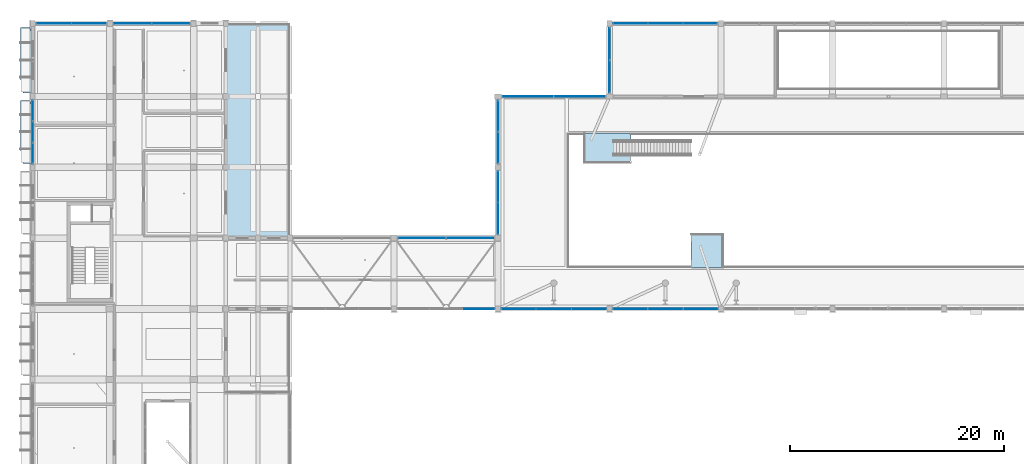
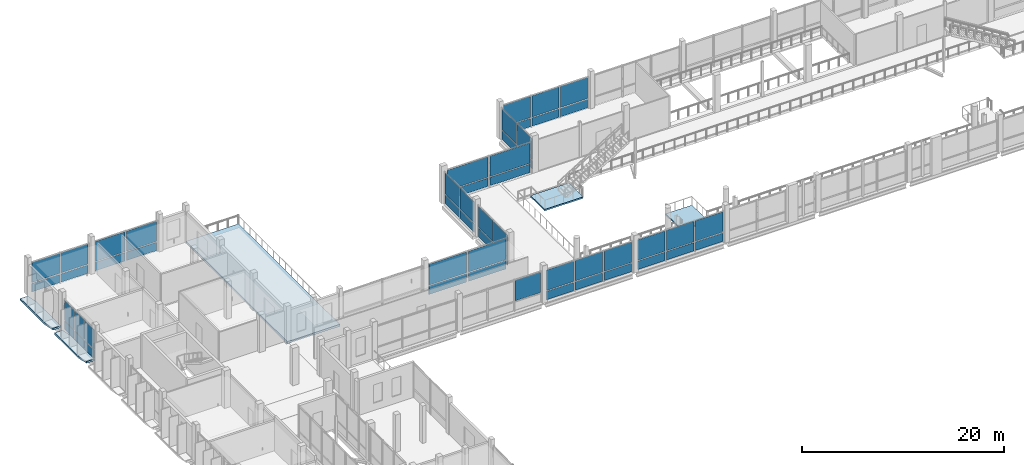
# One storey, part 46 of 95: 53 plates, 5 slabs, 12 elements without a shape of their own.
"""IFC4 building model written with IfcOpenShell, lengths in metres."""

from ifc_helpers import new_model, si_unit, derived_unit, direction, frame, origin, origin_2d, place, context, subcontext, project, spatial, polyline, rectangle, outline, extrude, material, layer, layer_set, type_object, element, aggregate, save


model = new_model("IFC4")

# Units and contexts
model_context = context("Model", 3, precision=1e-05, world=origin(), true_north=direction((0.0, 1.0)))
body_context = subcontext(model_context, "Body", "Model", "MODEL_VIEW")
ifc_project = project(units=[si_unit("LENGTHUNIT", "METRE"), si_unit("AREAUNIT", "SQUARE_METRE"), si_unit("VOLUMEUNIT", "CUBIC_METRE"), si_unit("PLANEANGLEUNIT", "RADIAN"), si_unit("MASSUNIT", "GRAM", prefix="KILO"), derived_unit("THERMALTRANSMITTANCEUNIT", [(si_unit("POWERUNIT", "WATT"), 1), (si_unit("LENGTHUNIT", "METRE"), -2), (si_unit("THERMODYNAMICTEMPERATUREUNIT", "KELVIN"), -1)])], contexts=[model_context])

# Site, building, storey
site_placement = place(None, origin())
site = spatial("IfcSite", under=ifc_project, at=site_placement, CompositionType="ELEMENT")
building_placement = place(site_placement, origin())
building = spatial("IfcBuilding", under=site, at=building_placement, Name="Braskholm Square Health Centre", CompositionType="ELEMENT")
storey_placement = place(building_placement, frame((0.0, 0.0, 4.800048828125)))
storey = spatial("IfcBuildingStorey", under=building, at=storey_placement, Name="L02", CompositionType="ELEMENT", Elevation=4.800048828125)

# Curtain wall, plates
ifc_material_1 = material(Name="Low-E triple insulating glass (VLT 0.64)", Category="glass")
curtain_wall_type_1 = type_object("IfcCurtainWallType", Name="UnitisedCurtainWall6200x3650", PredefinedType="NOTDEFINED", material=ifc_material_1)
curtain_wall_1_placement = place(storey_placement, origin())
curtain_wall_1 = element("IfcCurtainWall", 1, at=curtain_wall_1_placement, inside=storey, type_object=curtain_wall_type_1, Name="West Outer unitised curtain wall CW-L02-0013", PredefinedType="NOTDEFINED")
ifc_material_2 = material(Name="Architectural bronze anodised aluminium", Category="aluminium")
plate_type_1 = type_object("IfcPlateType", Name="CurtainPanelSpandrel1850x1020", PredefinedType="CURTAIN_PANEL", material=ifc_material_2)
plate_1_placement = place(storey_placement, frame((4.199951171875, 105.706787109375, 0.050048828125), z_axis=(0.0, 0.0, 1.0), x_axis=(0.0, -1.0, 0.0)))
plate_1 = element("IfcPlate", 2, at=plate_1_placement, type_object=plate_type_1, Name="CW-L02-0013 spandrel panel 1", PredefinedType="CURTAIN_PANEL", context=body_context, shape_type="SweptSolid", body=[
    extrude(rectangle(XDim=1.88623046875, YDim=0.035888671875, at=origin_2d()), origin(), (0.0, 0.0, 1.0), 1.02001953125),
])
plate_2_placement = place(storey_placement, frame((4.199951171875, 103.699951171875, 0.050048828125), z_axis=(0.0, 0.0, 1.0), x_axis=(0.0, -1.0, 0.0)))
plate_2 = element("IfcPlate", 3, at=plate_2_placement, type_object=plate_type_1, Name="CW-L02-0013 spandrel panel 2", PredefinedType="CURTAIN_PANEL", context=body_context, shape_type="SweptSolid", body=[
    extrude(rectangle(XDim=1.88623046875, YDim=0.035888671875, at=origin_2d()), origin(), (0.0, 0.0, 1.0), 1.02001953125),
])
plate_3_placement = place(storey_placement, frame((4.199951171875, 101.693359375, 0.050048828125), z_axis=(0.0, 0.0, 1.0), x_axis=(0.0, -1.0, 0.0)))
plate_3 = element("IfcPlate", 4, at=plate_3_placement, type_object=plate_type_1, Name="CW-L02-0013 spandrel panel 3", PredefinedType="CURTAIN_PANEL", context=body_context, shape_type="SweptSolid", body=[
    extrude(rectangle(XDim=1.88623046875, YDim=0.035888671875, at=origin_2d()), origin(), (0.0, 0.0, 1.0), 1.02001953125),
])

curtain_wall_type_2 = type_object("IfcCurtainWallType", Name="UnitisedCurtainWall6200x3800", PredefinedType="NOTDEFINED", material=ifc_material_1)
curtain_wall_2_placement = place(storey_placement, origin())
curtain_wall_2 = element("IfcCurtainWall", 5, at=curtain_wall_2_placement, inside=storey, type_object=curtain_wall_type_2, Name="Hall Cheek L02 unitised curtain wall CW-L02-0221", PredefinedType="NOTDEFINED")
plate_type_2 = type_object("IfcPlateType", Name="CurtainPanelSpandrel2750x1020", PredefinedType="CURTAIN_PANEL", material=ifc_material_2)
plate_4_placement = place(storey_placement, frame((47.60009765625, 105.181884765625, 0.050048828125), z_axis=(0.0, 0.0, 1.0), x_axis=(0.0, -1.0, 0.0)))
plate_4 = element("IfcPlate", 6, at=plate_4_placement, type_object=plate_type_2, Name="CW-L02-0221 spandrel panel 1", PredefinedType="CURTAIN_PANEL", context=body_context, shape_type="SweptSolid", body=[
    extrude(rectangle(XDim=2.820068359375, YDim=0.035888671875, at=origin_2d()), origin(), (0.0, 0.0, 1.0), 1.02001953125),
])
plate_5_placement = place(storey_placement, frame((47.60009765625, 102.218017578125, 0.050048828125), z_axis=(0.0, 0.0, 1.0), x_axis=(0.0, -1.0, 0.0)))
plate_5 = element("IfcPlate", 7, at=plate_5_placement, type_object=plate_type_2, Name="CW-L02-0221 spandrel panel 2", PredefinedType="CURTAIN_PANEL", context=body_context, shape_type="SweptSolid", body=[
    extrude(rectangle(XDim=2.820068359375, YDim=0.035888671875, at=origin_2d()), origin(), (0.0, 0.0, 1.0), 1.02001953125),
])

curtain_wall_3_placement = place(storey_placement, origin())
curtain_wall_3 = element("IfcCurtainWall", 8, at=curtain_wall_3_placement, inside=storey, type_object=curtain_wall_type_2, Name="Hall Cheek L02 unitised curtain wall CW-L02-0222", PredefinedType="NOTDEFINED")
plate_6_placement = place(storey_placement, frame((47.60009765625, 98.58203125, 0.050048828125), z_axis=(0.0, 0.0, 1.0), x_axis=(0.0, -1.0, 0.0)))
plate_6 = element("IfcPlate", 9, at=plate_6_placement, type_object=plate_type_2, Name="CW-L02-0222 spandrel panel 1", PredefinedType="CURTAIN_PANEL", context=body_context, shape_type="SweptSolid", body=[
    extrude(rectangle(XDim=2.820068359375, YDim=0.035888671875, at=origin_2d()), origin(), (0.0, 0.0, 1.0), 1.02001953125),
])
plate_7_placement = place(storey_placement, frame((47.60009765625, 95.617919921875, 0.050048828125), z_axis=(0.0, 0.0, 1.0), x_axis=(0.0, -1.0, 0.0)))
plate_7 = element("IfcPlate", 10, at=plate_7_placement, type_object=plate_type_2, Name="CW-L02-0222 spandrel panel 2", PredefinedType="CURTAIN_PANEL", context=body_context, shape_type="SweptSolid", body=[
    extrude(rectangle(XDim=2.820068359375, YDim=0.035888671875, at=origin_2d()), origin(), (0.0, 0.0, 1.0), 1.02001953125),
])

curtain_wall_4_placement = place(storey_placement, origin())
curtain_wall_4 = element("IfcCurtainWall", 11, at=curtain_wall_4_placement, inside=storey, type_object=curtain_wall_type_2, Name="Hydrotherapy West unitised curtain wall CW-L02-0247", PredefinedType="NOTDEFINED")
plate_8_placement = place(storey_placement, frame((58.0, 111.931396484375, 0.050048828125), z_axis=(0.0, 0.0, 1.0), x_axis=(0.0, -1.0, 0.0)))
plate_8 = element("IfcPlate", 12, at=plate_8_placement, type_object=plate_type_2, Name="CW-L02-0247 spandrel panel 1", PredefinedType="CURTAIN_PANEL", context=body_context, shape_type="SweptSolid", body=[
    extrude(rectangle(XDim=2.9140625, YDim=0.035888671875, at=origin_2d()), origin(), (0.0, 0.0, 1.0), 1.02001953125),
])
plate_9_placement = place(storey_placement, frame((58.0, 108.86865234375, 0.050048828125), z_axis=(0.0, 0.0, 1.0), x_axis=(0.0, -1.0, 0.0)))
plate_9 = element("IfcPlate", 13, at=plate_9_placement, type_object=plate_type_2, Name="CW-L02-0247 spandrel panel 2", PredefinedType="CURTAIN_PANEL", context=body_context, shape_type="SweptSolid", body=[
    extrude(rectangle(XDim=2.9140625, YDim=0.035888671875, at=origin_2d()), origin(), (0.0, 0.0, 1.0), 1.02001953125),
])

curtain_wall_5_placement = place(storey_placement, origin())
curtain_wall_5 = element("IfcCurtainWall", 14, at=curtain_wall_5_placement, inside=storey, type_object=curtain_wall_type_1, Name="Wing End unitised curtain wall CW-L02-0153", PredefinedType="NOTDEFINED")
plate_type_3 = type_object("IfcPlateType", Name="CurtainPanelSpandrel3150x1020", PredefinedType="CURTAIN_PANEL", material=ifc_material_2)
plate_10_placement = place(storey_placement, frame((17.08837890625, 113.800048828125, 0.050048828125), z_axis=(0.0, 0.0, 1.0), x_axis=(-1.0, 0.0, 0.0)))
plate_10 = element("IfcPlate", 15, at=plate_10_placement, type_object=plate_type_3, Name="CW-L02-0153 spandrel panel 1", PredefinedType="CURTAIN_PANEL", context=body_context, shape_type="SweptSolid", body=[
    extrude(rectangle(XDim=3.40283203125, YDim=0.035888671875, at=origin_2d()), origin(), (0.0, 0.0, 1.0), 1.02001953125),
])
plate_11_placement = place(storey_placement, frame((13.51171875, 113.800048828125, 0.050048828125), z_axis=(0.0, 0.0, 1.0), x_axis=(-1.0, 0.0, 0.0)))
plate_11 = element("IfcPlate", 16, at=plate_11_placement, type_object=plate_type_3, Name="CW-L02-0153 spandrel panel 2", PredefinedType="CURTAIN_PANEL", context=body_context, shape_type="SweptSolid", body=[
    extrude(rectangle(XDim=3.40283203125, YDim=0.035888671875, at=origin_2d()), origin(), (0.0, 0.0, 1.0), 1.02001953125),
])

curtain_wall_6_placement = place(storey_placement, origin())
curtain_wall_6 = element("IfcCurtainWall", 17, at=curtain_wall_6_placement, inside=storey, type_object=curtain_wall_type_1, Name="Wing End unitised curtain wall CW-L02-0154", PredefinedType="NOTDEFINED")
plate_12_placement = place(storey_placement, frame((9.440185546875, 113.800048828125, 0.050048828125), z_axis=(0.0, 0.0, 1.0), x_axis=(-1.0, 0.0, 0.0)))
plate_12 = element("IfcPlate", 18, at=plate_12_placement, type_object=plate_type_3, Name="CW-L02-0154 spandrel panel 1", PredefinedType="CURTAIN_PANEL", context=body_context, shape_type="SweptSolid", body=[
    extrude(rectangle(XDim=3.120849609375, YDim=0.035888671875, at=origin_2d()), origin(), (0.0, 0.0, 1.0), 1.02001953125),
])
plate_13_placement = place(storey_placement, frame((6.159912109375, 113.800048828125, 0.050048828125), z_axis=(0.0, 0.0, 1.0), x_axis=(-1.0, 0.0, 0.0)))
plate_13 = element("IfcPlate", 19, at=plate_13_placement, type_object=plate_type_3, Name="CW-L02-0154 spandrel panel 2", PredefinedType="CURTAIN_PANEL", context=body_context, shape_type="SweptSolid", body=[
    extrude(rectangle(XDim=3.120849609375, YDim=0.035888671875, at=origin_2d()), origin(), (0.0, 0.0, 1.0), 1.02001953125),
])

curtain_wall_7_placement = place(storey_placement, origin())
curtain_wall_7 = element("IfcCurtainWall", 20, at=curtain_wall_7_placement, inside=storey, type_object=curtain_wall_type_2, Name="Hall Gallery L02 unitised curtain wall CW-L02-0184", PredefinedType="NOTDEFINED")
plate_14_placement = place(storey_placement, frame((49.488037109375, 87.199951171875, 0.050048828125), z_axis=(0.0, 0.0, 1.0), x_axis=(1.0, 0.0, 0.0)))
plate_14 = element("IfcPlate", 21, at=plate_14_placement, type_object=plate_type_3, Name="CW-L02-0184 spandrel panel 1", PredefinedType="CURTAIN_PANEL", context=body_context, shape_type="SweptSolid", body=[
    extrude(rectangle(XDim=3.11328125, YDim=0.035888671875, at=origin_2d()), origin(), (0.0, 0.0, 1.0), 1.02001953125),
])
plate_15_placement = place(storey_placement, frame((52.800048828125, 87.199951171875, 0.050048828125), z_axis=(0.0, 0.0, 1.0), x_axis=(1.0, 0.0, 0.0)))
plate_15 = element("IfcPlate", 22, at=plate_15_placement, type_object=plate_type_3, Name="CW-L02-0184 spandrel panel 2", PredefinedType="CURTAIN_PANEL", context=body_context, shape_type="SweptSolid", body=[
    extrude(rectangle(XDim=3.11328125, YDim=0.035888671875, at=origin_2d()), origin(), (0.0, 0.0, 1.0), 1.02001953125),
])
plate_16_placement = place(storey_placement, frame((56.112060546875, 87.199951171875, 0.050048828125), z_axis=(0.0, 0.0, 1.0), x_axis=(1.0, 0.0, 0.0)))
plate_16 = element("IfcPlate", 23, at=plate_16_placement, type_object=plate_type_3, Name="CW-L02-0184 spandrel panel 3", PredefinedType="CURTAIN_PANEL", context=body_context, shape_type="SweptSolid", body=[
    extrude(rectangle(XDim=3.11328125, YDim=0.035888671875, at=origin_2d()), origin(), (0.0, 0.0, 1.0), 1.02001953125),
])

curtain_wall_8_placement = place(storey_placement, origin())
curtain_wall_8 = element("IfcCurtainWall", 24, at=curtain_wall_8_placement, inside=storey, type_object=curtain_wall_type_2, Name="Hall Gallery L02 unitised curtain wall CW-L02-0187", PredefinedType="NOTDEFINED")
plate_17_placement = place(storey_placement, frame((59.887939453125, 87.199951171875, 0.050048828125), z_axis=(0.0, 0.0, 1.0), x_axis=(1.0, 0.0, 0.0)))
plate_17 = element("IfcPlate", 25, at=plate_17_placement, type_object=plate_type_3, Name="CW-L02-0187 spandrel panel 1", PredefinedType="CURTAIN_PANEL", context=body_context, shape_type="SweptSolid", body=[
    extrude(rectangle(XDim=3.11328125, YDim=0.035888671875, at=origin_2d()), origin(), (0.0, 0.0, 1.0), 1.02001953125),
])
plate_18_placement = place(storey_placement, frame((63.199951171875, 87.199951171875, 0.050048828125), z_axis=(0.0, 0.0, 1.0), x_axis=(1.0, 0.0, 0.0)))
plate_18 = element("IfcPlate", 26, at=plate_18_placement, type_object=plate_type_3, Name="CW-L02-0187 spandrel panel 2", PredefinedType="CURTAIN_PANEL", context=body_context, shape_type="SweptSolid", body=[
    extrude(rectangle(XDim=3.11328125, YDim=0.035888671875, at=origin_2d()), origin(), (0.0, 0.0, 1.0), 1.02001953125),
])
plate_19_placement = place(storey_placement, frame((66.511962890625, 87.199951171875, 0.050048828125), z_axis=(0.0, 0.0, 1.0), x_axis=(1.0, 0.0, 0.0)))
plate_19 = element("IfcPlate", 27, at=plate_19_placement, type_object=plate_type_3, Name="CW-L02-0187 spandrel panel 3", PredefinedType="CURTAIN_PANEL", context=body_context, shape_type="SweptSolid", body=[
    extrude(rectangle(XDim=3.11328125, YDim=0.035888671875, at=origin_2d()), origin(), (0.0, 0.0, 1.0), 1.02001953125),
])

curtain_wall_9_placement = place(storey_placement, origin())
curtain_wall_9 = element("IfcCurtainWall", 28, at=curtain_wall_9_placement, inside=storey, type_object=curtain_wall_type_2, Name="Hydrotherapy North unitised curtain wall CW-L02-0242", PredefinedType="NOTDEFINED")
plate_20_placement = place(storey_placement, frame((66.466796875, 113.800048828125, 0.050048828125), z_axis=(0.0, 0.0, 1.0), x_axis=(-1.0, 0.0, 0.0)))
plate_20 = element("IfcPlate", 29, at=plate_20_placement, type_object=plate_type_3, Name="CW-L02-0242 spandrel panel 1", PredefinedType="CURTAIN_PANEL", context=body_context, shape_type="SweptSolid", body=[
    extrude(rectangle(XDim=3.07080078125, YDim=0.035888671875, at=origin_2d()), origin(), (0.0, 0.0, 1.0), 1.02001953125),
])
plate_21_placement = place(storey_placement, frame((63.199951171875, 113.800048828125, 0.050048828125), z_axis=(0.0, 0.0, 1.0), x_axis=(-1.0, 0.0, 0.0)))
plate_21 = element("IfcPlate", 30, at=plate_21_placement, type_object=plate_type_3, Name="CW-L02-0242 spandrel panel 2", PredefinedType="CURTAIN_PANEL", context=body_context, shape_type="SweptSolid", body=[
    extrude(rectangle(XDim=3.07080078125, YDim=0.035888671875, at=origin_2d()), origin(), (0.0, 0.0, 1.0), 1.02001953125),
])
plate_22_placement = place(storey_placement, frame((59.933349609375, 113.800048828125, 0.050048828125), z_axis=(0.0, 0.0, 1.0), x_axis=(-1.0, 0.0, 0.0)))
plate_22 = element("IfcPlate", 31, at=plate_22_placement, type_object=plate_type_3, Name="CW-L02-0242 spandrel panel 3", PredefinedType="CURTAIN_PANEL", context=body_context, shape_type="SweptSolid", body=[
    extrude(rectangle(XDim=3.07080078125, YDim=0.035888671875, at=origin_2d()), origin(), (0.0, 0.0, 1.0), 1.02001953125),
])

curtain_wall_10_placement = place(storey_placement, origin())
curtain_wall_10 = element("IfcCurtainWall", 32, at=curtain_wall_10_placement, inside=storey, type_object=curtain_wall_type_2, Name="Portal North L02 unitised curtain wall CW-L02-0181", PredefinedType="NOTDEFINED")
plate_type_4 = type_object("IfcPlateType", Name="CurtainPanelSpandrel4350x1020", PredefinedType="CURTAIN_PANEL", material=ifc_material_2)
plate_23_placement = place(storey_placement, frame((45.009033203125, 93.800048828125, 0.050048828125), z_axis=(0.0, 0.0, 1.0), x_axis=(-1.0, 0.0, 0.0)))
plate_23 = element("IfcPlate", 33, at=plate_23_placement, type_object=plate_type_4, Name="CW-L02-0181 spandrel panel 1", PredefinedType="CURTAIN_PANEL", context=body_context, shape_type="SweptSolid", body=[
    extrude(rectangle(XDim=4.298583984375, YDim=0.035888671875, at=origin_2d()), origin(), (0.0, 0.0, 1.0), 1.02001953125),
])
plate_24_placement = place(storey_placement, frame((40.490966796875, 93.800048828125, 0.050048828125), z_axis=(0.0, 0.0, 1.0), x_axis=(-1.0, 0.0, 0.0)))
plate_24 = element("IfcPlate", 34, at=plate_24_placement, type_object=plate_type_4, Name="CW-L02-0181 spandrel panel 2", PredefinedType="CURTAIN_PANEL", context=body_context, shape_type="SweptSolid", body=[
    extrude(rectangle(XDim=4.298583984375, YDim=0.035888671875, at=origin_2d()), origin(), (0.0, 0.0, 1.0), 1.02001953125),
])

curtain_wall_11_placement = place(storey_placement, origin())
curtain_wall_11 = element("IfcCurtainWall", 35, at=curtain_wall_11_placement, inside=storey, type_object=curtain_wall_type_2, Name="Hall North unitised curtain wall CW-L02-0215", PredefinedType="NOTDEFINED")
plate_25_placement = place(storey_placement, frame((55.220703125, 107.0, 0.050048828125), z_axis=(0.0, 0.0, 1.0), x_axis=(-1.0, 0.0, 0.0)))
plate_25 = element("IfcPlate", 36, at=plate_25_placement, type_object=plate_type_4, Name="CW-L02-0215 spandrel panel 1", PredefinedType="CURTAIN_PANEL", context=body_context, shape_type="SweptSolid", body=[
    extrude(rectangle(XDim=4.60595703125, YDim=0.035888671875, at=origin_2d()), origin(), (0.0, 0.0, 1.0), 1.02001953125),
])
plate_26_placement = place(storey_placement, frame((50.37939453125, 107.0, 0.050048828125), z_axis=(0.0, 0.0, 1.0), x_axis=(-1.0, 0.0, 0.0)))
plate_26 = element("IfcPlate", 37, at=plate_26_placement, type_object=plate_type_4, Name="CW-L02-0215 spandrel panel 2", PredefinedType="CURTAIN_PANEL", context=body_context, shape_type="SweptSolid", body=[
    extrude(rectangle(XDim=4.60595703125, YDim=0.035888671875, at=origin_2d()), origin(), (0.0, 0.0, 1.0), 1.02001953125),
])

# Plate
plate_type_5 = type_object("IfcPlateType", Name="CurtainPanelVision1850x2520", PredefinedType="CURTAIN_PANEL", material=ifc_material_1)
plate_27_placement = place(storey_placement, frame((4.199951171875, 105.706787109375, 1.169921875), z_axis=(0.0, 0.0, 1.0), x_axis=(0.0, -1.0, 0.0)))
plate_27 = element("IfcPlate", 38, at=plate_27_placement, type_object=plate_type_5, Name="CW-L02-0013 vision glass panel 1", PredefinedType="CURTAIN_PANEL", context=body_context, shape_type="SweptSolid", body=[
    extrude(rectangle(XDim=1.88623046875, YDim=0.035888671875, at=origin_2d()), origin(), (0.0, 0.0, 1.0), 2.3701171875),
])

plate_28_placement = place(storey_placement, frame((4.199951171875, 103.699951171875, 1.169921875), z_axis=(0.0, 0.0, 1.0), x_axis=(0.0, -1.0, 0.0)))
plate_28 = element("IfcPlate", 39, at=plate_28_placement, type_object=plate_type_5, Name="CW-L02-0013 vision glass panel 2", PredefinedType="CURTAIN_PANEL", context=body_context, shape_type="SweptSolid", body=[
    extrude(rectangle(XDim=1.88623046875, YDim=0.035888671875, at=origin_2d()), origin(), (0.0, 0.0, 1.0), 2.3701171875),
])

plate_29_placement = place(storey_placement, frame((4.199951171875, 101.693359375, 1.169921875), z_axis=(0.0, 0.0, 1.0), x_axis=(0.0, -1.0, 0.0)))
plate_29 = element("IfcPlate", 40, at=plate_29_placement, type_object=plate_type_5, Name="CW-L02-0013 vision glass panel 3", PredefinedType="CURTAIN_PANEL", context=body_context, shape_type="SweptSolid", body=[
    extrude(rectangle(XDim=1.88623046875, YDim=0.035888671875, at=origin_2d()), origin(), (0.0, 0.0, 1.0), 2.3701171875),
])

aggregate(curtain_wall_1, [plate_1, plate_27, plate_2, plate_28, plate_3, plate_29])

# Curtain wall, plate
curtain_wall_12_placement = place(storey_placement, origin())
curtain_wall_12 = element("IfcCurtainWall", 41, at=curtain_wall_12_placement, inside=storey, type_object=curtain_wall_type_2, Name="Hall Gallery L02 unitised curtain wall CW-L02-0178", PredefinedType="NOTDEFINED")
plate_type_6 = type_object("IfcPlateType", Name="CurtainPanelVision2750x2520", PredefinedType="CURTAIN_PANEL", material=ifc_material_1)
plate_30_placement = place(storey_placement, frame((45.82861328125, 87.199951171875, 1.169921875), z_axis=(0.0, 0.0, 1.0), x_axis=(1.0, 0.0, 0.0)))
plate_30 = element("IfcPlate", 42, at=plate_30_placement, type_object=plate_type_6, Name="CW-L02-0178 vision glass panel 3", PredefinedType="CURTAIN_PANEL", context=body_context, shape_type="SweptSolid", body=[
    extrude(rectangle(XDim=2.893798828125, YDim=0.035888671875, at=origin_2d()), origin(), (0.0, 0.0, 1.0), 2.4599609375),
])
aggregate(curtain_wall_12, [plate_30])

# Plate
plate_31_placement = place(storey_placement, frame((47.60009765625, 105.181884765625, 1.169921875), z_axis=(0.0, 0.0, 1.0), x_axis=(0.0, -1.0, 0.0)))
plate_31 = element("IfcPlate", 43, at=plate_31_placement, type_object=plate_type_6, Name="CW-L02-0221 vision glass panel 1", PredefinedType="CURTAIN_PANEL", context=body_context, shape_type="SweptSolid", body=[
    extrude(rectangle(XDim=2.820068359375, YDim=0.035888671875, at=origin_2d()), origin(), (0.0, 0.0, 1.0), 2.5400390625),
])

plate_32_placement = place(storey_placement, frame((47.60009765625, 102.218017578125, 1.169921875), z_axis=(0.0, 0.0, 1.0), x_axis=(0.0, -1.0, 0.0)))
plate_32 = element("IfcPlate", 44, at=plate_32_placement, type_object=plate_type_6, Name="CW-L02-0221 vision glass panel 2", PredefinedType="CURTAIN_PANEL", context=body_context, shape_type="SweptSolid", body=[
    extrude(rectangle(XDim=2.820068359375, YDim=0.035888671875, at=origin_2d()), origin(), (0.0, 0.0, 1.0), 2.5400390625),
])

aggregate(curtain_wall_2, [plate_4, plate_31, plate_5, plate_32])

plate_33_placement = place(storey_placement, frame((47.60009765625, 98.58203125, 1.169921875), z_axis=(0.0, 0.0, 1.0), x_axis=(0.0, -1.0, 0.0)))
plate_33 = element("IfcPlate", 45, at=plate_33_placement, type_object=plate_type_6, Name="CW-L02-0222 vision glass panel 1", PredefinedType="CURTAIN_PANEL", context=body_context, shape_type="SweptSolid", body=[
    extrude(rectangle(XDim=2.820068359375, YDim=0.035888671875, at=origin_2d()), origin(), (0.0, 0.0, 1.0), 2.5400390625),
])

plate_34_placement = place(storey_placement, frame((47.60009765625, 95.617919921875, 1.169921875), z_axis=(0.0, 0.0, 1.0), x_axis=(0.0, -1.0, 0.0)))
plate_34 = element("IfcPlate", 46, at=plate_34_placement, type_object=plate_type_6, Name="CW-L02-0222 vision glass panel 2", PredefinedType="CURTAIN_PANEL", context=body_context, shape_type="SweptSolid", body=[
    extrude(rectangle(XDim=2.820068359375, YDim=0.035888671875, at=origin_2d()), origin(), (0.0, 0.0, 1.0), 2.5400390625),
])

aggregate(curtain_wall_3, [plate_6, plate_33, plate_7, plate_34])

plate_35_placement = place(storey_placement, frame((58.0, 111.931396484375, 1.169921875), z_axis=(0.0, 0.0, 1.0), x_axis=(0.0, -1.0, 0.0)))
plate_35 = element("IfcPlate", 47, at=plate_35_placement, type_object=plate_type_6, Name="CW-L02-0247 vision glass panel 1", PredefinedType="CURTAIN_PANEL", context=body_context, shape_type="SweptSolid", body=[
    extrude(rectangle(XDim=2.9140625, YDim=0.035888671875, at=origin_2d()), origin(), (0.0, 0.0, 1.0), 2.5400390625),
])

plate_36_placement = place(storey_placement, frame((58.0, 108.86865234375, 1.169921875), z_axis=(0.0, 0.0, 1.0), x_axis=(0.0, -1.0, 0.0)))
plate_36 = element("IfcPlate", 48, at=plate_36_placement, type_object=plate_type_6, Name="CW-L02-0247 vision glass panel 2", PredefinedType="CURTAIN_PANEL", context=body_context, shape_type="SweptSolid", body=[
    extrude(rectangle(XDim=2.9140625, YDim=0.035888671875, at=origin_2d()), origin(), (0.0, 0.0, 1.0), 2.5400390625),
])

aggregate(curtain_wall_4, [plate_8, plate_35, plate_9, plate_36])

plate_type_7 = type_object("IfcPlateType", Name="CurtainPanelVision3150x2520", PredefinedType="CURTAIN_PANEL", material=ifc_material_1)
plate_37_placement = place(storey_placement, frame((17.08837890625, 113.800048828125, 1.169921875), z_axis=(0.0, 0.0, 1.0), x_axis=(-1.0, 0.0, 0.0)))
plate_37 = element("IfcPlate", 49, at=plate_37_placement, type_object=plate_type_7, Name="CW-L02-0153 vision glass panel 1", PredefinedType="CURTAIN_PANEL", context=body_context, shape_type="SweptSolid", body=[
    extrude(rectangle(XDim=3.40283203125, YDim=0.035888671875, at=origin_2d()), origin(), (0.0, 0.0, 1.0), 2.419921875),
])

plate_38_placement = place(storey_placement, frame((13.51171875, 113.800048828125, 1.169921875), z_axis=(0.0, 0.0, 1.0), x_axis=(-1.0, 0.0, 0.0)))
plate_38 = element("IfcPlate", 50, at=plate_38_placement, type_object=plate_type_7, Name="CW-L02-0153 vision glass panel 2", PredefinedType="CURTAIN_PANEL", context=body_context, shape_type="SweptSolid", body=[
    extrude(rectangle(XDim=3.40283203125, YDim=0.035888671875, at=origin_2d()), origin(), (0.0, 0.0, 1.0), 2.419921875),
])

aggregate(curtain_wall_5, [plate_10, plate_37, plate_11, plate_38])

plate_39_placement = place(storey_placement, frame((9.440185546875, 113.800048828125, 1.169921875), z_axis=(0.0, 0.0, 1.0), x_axis=(-1.0, 0.0, 0.0)))
plate_39 = element("IfcPlate", 51, at=plate_39_placement, type_object=plate_type_7, Name="CW-L02-0154 vision glass panel 1", PredefinedType="CURTAIN_PANEL", context=body_context, shape_type="SweptSolid", body=[
    extrude(rectangle(XDim=3.120849609375, YDim=0.035888671875, at=origin_2d()), origin(), (0.0, 0.0, 1.0), 2.419921875),
])

plate_40_placement = place(storey_placement, frame((6.159912109375, 113.800048828125, 1.169921875), z_axis=(0.0, 0.0, 1.0), x_axis=(-1.0, 0.0, 0.0)))
plate_40 = element("IfcPlate", 52, at=plate_40_placement, type_object=plate_type_7, Name="CW-L02-0154 vision glass panel 2", PredefinedType="CURTAIN_PANEL", context=body_context, shape_type="SweptSolid", body=[
    extrude(rectangle(XDim=3.120849609375, YDim=0.035888671875, at=origin_2d()), origin(), (0.0, 0.0, 1.0), 2.419921875),
])

aggregate(curtain_wall_6, [plate_12, plate_39, plate_13, plate_40])

plate_41_placement = place(storey_placement, frame((49.488037109375, 87.199951171875, 1.169921875), z_axis=(0.0, 0.0, 1.0), x_axis=(1.0, 0.0, 0.0)))
plate_41 = element("IfcPlate", 53, at=plate_41_placement, type_object=plate_type_7, Name="CW-L02-0184 vision glass panel 1", PredefinedType="CURTAIN_PANEL", context=body_context, shape_type="SweptSolid", body=[
    extrude(rectangle(XDim=3.11328125, YDim=0.035888671875, at=origin_2d()), origin(), (0.0, 0.0, 1.0), 2.45703125),
])

plate_42_placement = place(storey_placement, frame((52.800048828125, 87.199951171875, 1.169921875), z_axis=(0.0, 0.0, 1.0), x_axis=(1.0, 0.0, 0.0)))
plate_42 = element("IfcPlate", 54, at=plate_42_placement, type_object=plate_type_7, Name="CW-L02-0184 vision glass panel 2", PredefinedType="CURTAIN_PANEL", context=body_context, shape_type="SweptSolid", body=[
    extrude(rectangle(XDim=3.11328125, YDim=0.035888671875, at=origin_2d()), origin(), (0.0, 0.0, 1.0), 2.45703125),
])

plate_43_placement = place(storey_placement, frame((56.112060546875, 87.199951171875, 1.169921875), z_axis=(0.0, 0.0, 1.0), x_axis=(1.0, 0.0, 0.0)))
plate_43 = element("IfcPlate", 55, at=plate_43_placement, type_object=plate_type_7, Name="CW-L02-0184 vision glass panel 3", PredefinedType="CURTAIN_PANEL", context=body_context, shape_type="SweptSolid", body=[
    extrude(rectangle(XDim=3.11328125, YDim=0.035888671875, at=origin_2d()), origin(), (0.0, 0.0, 1.0), 2.45703125),
])

aggregate(curtain_wall_7, [plate_14, plate_41, plate_15, plate_42, plate_16, plate_43])

plate_44_placement = place(storey_placement, frame((59.887939453125, 87.199951171875, 1.169921875), z_axis=(0.0, 0.0, 1.0), x_axis=(1.0, 0.0, 0.0)))
plate_44 = element("IfcPlate", 56, at=plate_44_placement, type_object=plate_type_7, Name="CW-L02-0187 vision glass panel 1", PredefinedType="CURTAIN_PANEL", context=body_context, shape_type="SweptSolid", body=[
    extrude(rectangle(XDim=3.11328125, YDim=0.035888671875, at=origin_2d()), origin(), (0.0, 0.0, 1.0), 2.45703125),
])

plate_45_placement = place(storey_placement, frame((63.199951171875, 87.199951171875, 1.169921875), z_axis=(0.0, 0.0, 1.0), x_axis=(1.0, 0.0, 0.0)))
plate_45 = element("IfcPlate", 57, at=plate_45_placement, type_object=plate_type_7, Name="CW-L02-0187 vision glass panel 2", PredefinedType="CURTAIN_PANEL", context=body_context, shape_type="SweptSolid", body=[
    extrude(rectangle(XDim=3.11328125, YDim=0.035888671875, at=origin_2d()), origin(), (0.0, 0.0, 1.0), 2.45703125),
])

plate_46_placement = place(storey_placement, frame((66.511962890625, 87.199951171875, 1.169921875), z_axis=(0.0, 0.0, 1.0), x_axis=(1.0, 0.0, 0.0)))
plate_46 = element("IfcPlate", 58, at=plate_46_placement, type_object=plate_type_7, Name="CW-L02-0187 vision glass panel 3", PredefinedType="CURTAIN_PANEL", context=body_context, shape_type="SweptSolid", body=[
    extrude(rectangle(XDim=3.11328125, YDim=0.035888671875, at=origin_2d()), origin(), (0.0, 0.0, 1.0), 2.45703125),
])

aggregate(curtain_wall_8, [plate_17, plate_44, plate_18, plate_45, plate_19, plate_46])

plate_47_placement = place(storey_placement, frame((66.466796875, 113.800048828125, 1.169921875), z_axis=(0.0, 0.0, 1.0), x_axis=(-1.0, 0.0, 0.0)))
plate_47 = element("IfcPlate", 59, at=plate_47_placement, type_object=plate_type_7, Name="CW-L02-0242 vision glass panel 1", PredefinedType="CURTAIN_PANEL", context=body_context, shape_type="SweptSolid", body=[
    extrude(rectangle(XDim=3.07080078125, YDim=0.035888671875, at=origin_2d()), origin(), (0.0, 0.0, 1.0), 2.556884765625),
])

plate_48_placement = place(storey_placement, frame((63.199951171875, 113.800048828125, 1.169921875), z_axis=(0.0, 0.0, 1.0), x_axis=(-1.0, 0.0, 0.0)))
plate_48 = element("IfcPlate", 60, at=plate_48_placement, type_object=plate_type_7, Name="CW-L02-0242 vision glass panel 2", PredefinedType="CURTAIN_PANEL", context=body_context, shape_type="SweptSolid", body=[
    extrude(rectangle(XDim=3.07080078125, YDim=0.035888671875, at=origin_2d()), origin(), (0.0, 0.0, 1.0), 2.556884765625),
])

plate_49_placement = place(storey_placement, frame((59.933349609375, 113.800048828125, 1.169921875), z_axis=(0.0, 0.0, 1.0), x_axis=(-1.0, 0.0, 0.0)))
plate_49 = element("IfcPlate", 61, at=plate_49_placement, type_object=plate_type_7, Name="CW-L02-0242 vision glass panel 3", PredefinedType="CURTAIN_PANEL", context=body_context, shape_type="SweptSolid", body=[
    extrude(rectangle(XDim=3.07080078125, YDim=0.035888671875, at=origin_2d()), origin(), (0.0, 0.0, 1.0), 2.556884765625),
])

aggregate(curtain_wall_9, [plate_20, plate_47, plate_21, plate_48, plate_22, plate_49])

plate_type_8 = type_object("IfcPlateType", Name="CurtainPanelVision4350x2520", PredefinedType="CURTAIN_PANEL", material=ifc_material_1)
plate_50_placement = place(storey_placement, frame((45.009033203125, 93.800048828125, 1.169921875), z_axis=(0.0, 0.0, 1.0), x_axis=(-1.0, 0.0, 0.0)))
plate_50 = element("IfcPlate", 62, at=plate_50_placement, type_object=plate_type_8, Name="CW-L02-0181 vision glass panel 1", PredefinedType="CURTAIN_PANEL", context=body_context, shape_type="SweptSolid", body=[
    extrude(rectangle(XDim=4.298583984375, YDim=0.035888671875, at=origin_2d()), origin(), (0.0, 0.0, 1.0), 2.52001953125),
])

plate_51_placement = place(storey_placement, frame((40.490966796875, 93.800048828125, 1.169921875), z_axis=(0.0, 0.0, 1.0), x_axis=(-1.0, 0.0, 0.0)))
plate_51 = element("IfcPlate", 63, at=plate_51_placement, type_object=plate_type_8, Name="CW-L02-0181 vision glass panel 2", PredefinedType="CURTAIN_PANEL", context=body_context, shape_type="SweptSolid", body=[
    extrude(rectangle(XDim=4.298583984375, YDim=0.035888671875, at=origin_2d()), origin(), (0.0, 0.0, 1.0), 2.52001953125),
])

aggregate(curtain_wall_10, [plate_23, plate_50, plate_24, plate_51])

plate_52_placement = place(storey_placement, frame((55.220703125, 107.0, 1.169921875), z_axis=(0.0, 0.0, 1.0), x_axis=(-1.0, 0.0, 0.0)))
plate_52 = element("IfcPlate", 64, at=plate_52_placement, type_object=plate_type_8, Name="CW-L02-0215 vision glass panel 1", PredefinedType="CURTAIN_PANEL", context=body_context, shape_type="SweptSolid", body=[
    extrude(rectangle(XDim=4.60595703125, YDim=0.035888671875, at=origin_2d()), origin(), (0.0, 0.0, 1.0), 2.45703125),
])

plate_53_placement = place(storey_placement, frame((50.37939453125, 107.0, 1.169921875), z_axis=(0.0, 0.0, 1.0), x_axis=(-1.0, 0.0, 0.0)))
plate_53 = element("IfcPlate", 65, at=plate_53_placement, type_object=plate_type_8, Name="CW-L02-0215 vision glass panel 2", PredefinedType="CURTAIN_PANEL", context=body_context, shape_type="SweptSolid", body=[
    extrude(rectangle(XDim=4.60595703125, YDim=0.035888671875, at=origin_2d()), origin(), (0.0, 0.0, 1.0), 2.45703125),
])

aggregate(curtain_wall_11, [plate_25, plate_52, plate_26, plate_53])

# Slabs
ifc_material_3 = material(Name="Precast concrete C40/50 architectural white", Category="concrete")
ifc_layer_1 = layer(ifc_material_3, 0.2099609375)
ifc_layer_set_1 = layer_set([ifc_layer_1], Name="Precast concrete C40/50 architectural white")
slab_type_1 = type_object("IfcSlabType", Name="PitchedAndCrownRoofSlab150", PredefinedType="ROOF", material=ifc_layer_set_1)
slab_1_placement = place(storey_placement, frame((0.0, 0.0, -0.2099609375)))
element("IfcSlab", 66, at=slab_1_placement, inside=storey, type_object=slab_type_1, Name="Level L02 West precast planter ledge 015", PredefinedType="ROOF", context=body_context, shape_type="SweptSolid", body=[
    extrude(outline(polyline([(3.302978515625, 100.75), (4.199951171875, 100.75), (4.199951171875, 105.35205078125), (3.947021484375, 106.64990234375), (3.050048828125, 106.64990234375), (3.050048828125, 102.048095703125), (3.302978515625, 100.75)])), origin(), (0.0, 0.0, 1.0), 0.2099609375),
])
slab_2_placement = place(storey_placement, frame((0.0, 0.0, -0.2099609375)))
element("IfcSlab", 67, at=slab_2_placement, inside=storey, type_object=slab_type_1, Name="Level L02 West precast planter ledge 016", PredefinedType="ROOF", context=body_context, shape_type="SweptSolid", body=[
    extrude(outline(polyline([(3.302978515625, 107.35009765625), (4.199951171875, 107.35009765625), (4.199951171875, 112.10791015625), (3.947021484375, 113.449951171875), (3.050048828125, 113.449951171875), (3.050048828125, 108.69189453125), (3.302978515625, 107.35009765625)])), origin(), (0.0, 0.0, 1.0), 0.2099609375),
])
ifc_material_4 = material(Name="Concrete C35/45 (f'c = 35 MPa)", Category="concrete")
ifc_layer_2 = layer(ifc_material_4, 0.25)
ifc_layer_set_2 = layer_set([ifc_layer_2], Name="Concrete C35/45 (f'c = 35 MPa)")
slab_type_2 = type_object("IfcSlabType", Name="PlantedTerraceRoofSlab250", PredefinedType="ROOF", material=ifc_layer_set_2)
slab_3_placement = place(storey_placement, frame((0.0, 0.0, -0.25)))
element("IfcSlab", 68, at=slab_3_placement, inside=storey, type_object=slab_type_2, Name="Level L02 Northwest garden colonnade terrace slab", PredefinedType="ROOF", context=body_context, shape_type="SweptSolid", body=[
    extrude(outline(polyline([(22.199951171875, 93.800048828125), (28.199951171875, 93.800048828125), (28.199951171875, 113.800048828125), (22.199951171875, 113.800048828125), (22.199951171875, 93.800048828125)])), origin(), (0.0, 0.0, 1.0), 0.25),
])
ifc_layer_3 = layer(ifc_material_4, 0.179931640625)
ifc_layer_set_3 = layer_set([ifc_layer_3], Name="Concrete C35/45 (f'c = 35 MPa)")
slab_type_3 = type_object("IfcSlabType", Name="StairLandingSlab180", PredefinedType="LANDING", material=ifc_layer_set_3)
slab_4_placement = place(storey_placement, frame((0.0, 0.0, -0.179931640625)))
element("IfcSlab", 69, at=slab_4_placement, inside=storey, type_object=slab_type_3, Name="Atrium feature stair landing SLAB-L02-HALL-BRIDGE-W", PredefinedType="LANDING", context=body_context, shape_type="SweptSolid", body=[
    extrude(outline(polyline([(65.60009765625, 91.010009765625), (68.60009765625, 91.010009765625), (68.60009765625, 94.199951171875), (65.60009765625, 94.199951171875), (65.60009765625, 91.010009765625)])), origin(), (0.0, 0.0, 1.0), 0.179931640625),
])
slab_5_placement = place(storey_placement, frame((0.0, 0.0, -0.179931640625)))
element("IfcSlab", 70, at=slab_5_placement, inside=storey, type_object=slab_type_3, Name="Atrium feature stair landing SLAB-L02-HALL-START-W", PredefinedType="LANDING", context=body_context, shape_type="SweptSolid", body=[
    extrude(outline(polyline([(55.60009765625, 100.800048828125), (60.0, 100.800048828125), (60.0, 103.590087890625), (55.60009765625, 103.590087890625), (55.60009765625, 100.800048828125)])), origin(), (0.0, 0.0, 1.0), 0.179931640625),
])

save(model, "model.ifc")
